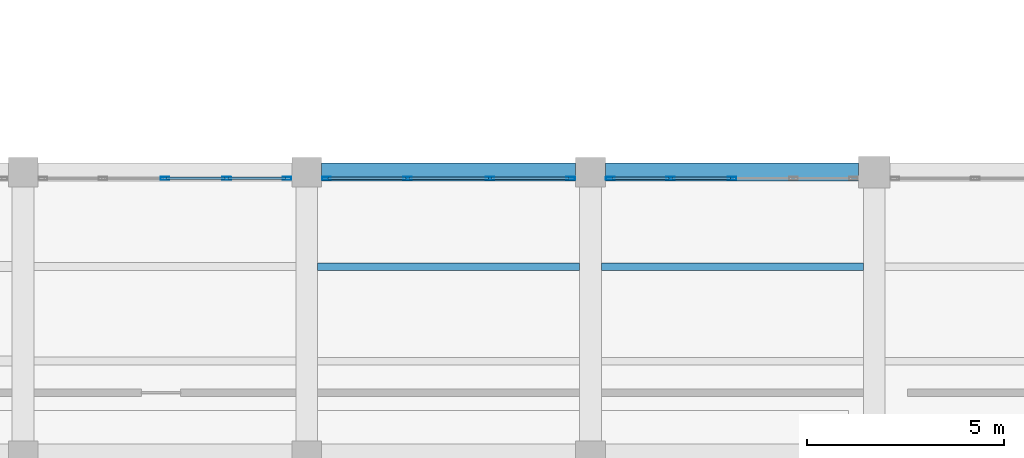
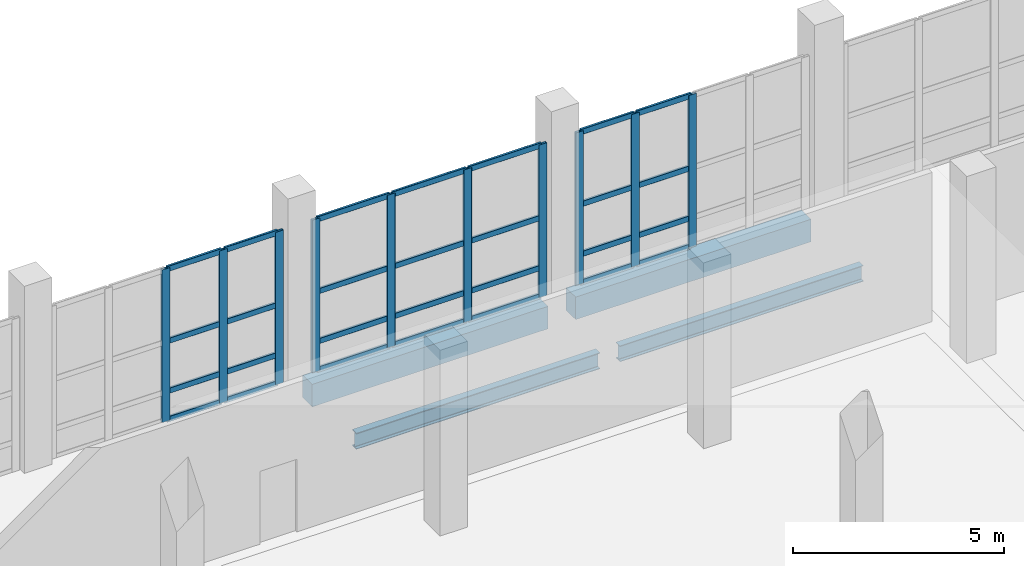
# One storey, part 40 of 137: 38 members, 4 beams, 3 elements without a shape of their own.
"""IFC4 building model written with IfcOpenShell, lengths in metres."""

import ifcopenshell
import ifcopenshell.guid

model = None  # the IFC model being written
_history = None  # IfcOwnerHistory: only IFC2X3 demands one
_inside = {}  # id of a spatial element -> (the spatial element, [elements in it])
_under = {}  # id of a project, library or spatial element -> (it, [spatial elements below it])
_declared = {}  # id of a project -> (the project, [libraries it declares])
_typed = {}  # id of a type object -> (the type object, [elements of that type])
_made_of = {}  # id of a material, layer set ... -> (it, [elements and type objects made of it])


def new_model(schema):
    """Start an empty IFC model of exactly this schema.

    Asked for "IFC4X3", IfcOpenShell would pick the latest addendum, in which some entities
    have other attributes; the version numbers below select the first issue.
    IFC2X3 requires an IfcOwnerHistory on every rooted entity: one is made here for all.
    """
    global model, _history
    if schema == "IFC4X3":
        model = ifcopenshell.file(schema_version=(4, 3, 0, 0))
    else:
        model = ifcopenshell.file(schema=schema)
    _inside.clear()
    _under.clear()
    _declared.clear()
    _typed.clear()
    _made_of.clear()
    _history = None
    if model.schema == "IFC2X3":
        org = make("IfcOrganization", Name="unknown")
        user = make(
            "IfcPersonAndOrganization",
            ThePerson=make("IfcPerson", FamilyName="unknown"),
            TheOrganization=org,
        )
        app = make(
            "IfcApplication",
            ApplicationDeveloper=org,
            Version="unknown",
            ApplicationFullName="unknown",
            ApplicationIdentifier="unknown",
        )
        _history = make(
            "IfcOwnerHistory",
            OwningUser=user,
            OwningApplication=app,
            ChangeAction="ADDED",
            CreationDate=0,
        )
    return model


def make(cls, **values):
    """One entity of the class cls with the attributes given. An attribute that is None is left unset."""
    return model.create_entity(
        cls, **{name: value for name, value in values.items() if value is not None}
    )


def rooted(cls, **values):
    """An entity with a GlobalId (a new one), such as an element, a storey or a relation."""
    return make(cls, GlobalId=ifcopenshell.guid.new(), OwnerHistory=_history, **values)


def si_unit(unit_type, name, prefix=None):
    """IfcSIUnit, for example si_unit("LENGTHUNIT", "METRE", prefix="MILLI")."""
    return make("IfcSIUnit", UnitType=unit_type, Prefix=prefix, Name=name)


def assignment(units):
    """IfcUnitAssignment: the units of a project."""
    return None if units is None else make("IfcUnitAssignment", Units=units)


def point(xyz):
    """IfcCartesianPoint."""
    return None if xyz is None else make("IfcCartesianPoint", Coordinates=xyz)


def direction(xyz):
    """IfcDirection."""
    return None if xyz is None else make("IfcDirection", DirectionRatios=xyz)


def frame(location, z_axis=None, x_axis=None):
    """IfcAxis2Placement3D, a coordinate frame: its origin and axes. An axis left out is left unset."""
    return make(
        "IfcAxis2Placement3D",
        Location=point(location),
        Axis=direction(z_axis),
        RefDirection=direction(x_axis),
    )


def frame_2d(location, x_axis=None):
    """IfcAxis2Placement2D, a coordinate frame in the plane: its origin and x axis."""
    return make(
        "IfcAxis2Placement2D", Location=point(location), RefDirection=direction(x_axis)
    )


def origin():
    """The frame at (0, 0, 0) with its axes left unset."""
    return frame((0.0, 0.0, 0.0))


def origin_2d():
    """The frame at (0, 0) in the plane with its x axis left unset."""
    return frame_2d((0.0, 0.0))


def place(relative_to, where):
    """IfcLocalPlacement: puts the frame where relative to a parent placement (None: the world)."""
    return make(
        "IfcLocalPlacement", PlacementRelTo=relative_to, RelativePlacement=where
    )


def context(
    kind, dimensions, precision=None, world=None, true_north=None, identifier=None
):
    """IfcGeometricRepresentationContext, for example the 3D "Model" context."""
    return make(
        "IfcGeometricRepresentationContext",
        ContextIdentifier=identifier,
        ContextType=kind,
        CoordinateSpaceDimension=dimensions,
        Precision=precision,
        WorldCoordinateSystem=world,
        TrueNorth=true_north,
    )


def subcontext(parent, identifier, kind, view, scale=None):
    """IfcGeometricRepresentationSubContext, for example "Body" below "Model"."""
    return make(
        "IfcGeometricRepresentationSubContext",
        ContextIdentifier=identifier,
        ContextType=kind,
        ParentContext=parent,
        TargetScale=scale,
        TargetView=view,
    )


def project(units=None, contexts=None):
    """IfcProject with its units and contexts."""
    return rooted(
        "IfcProject",
        Name="project",
        RepresentationContexts=contexts,
        UnitsInContext=assignment(units),
    )


def spatial(cls, under=None, at=None, **own):
    """A site, building, storey or space (cls), placed at a placement, below another one or the project."""
    s = rooted(cls, ObjectPlacement=at, **own)
    if under is not None:
        _under.setdefault(under.id(), (under, []))[1].append(s)
    return s


def profile(cls, at=None, kind="AREA", **sizes):
    """A parametric profile (cls). Its sizes go by their IFC names, for example OverallWidth=200.0."""
    return make(cls, ProfileType=kind, Position=at, **sizes)


def rectangle(**sizes):
    """IfcRectangleProfileDef."""
    return profile("IfcRectangleProfileDef", **sizes)


def hollow_rectangle(**sizes):
    """IfcRectangleHollowProfileDef."""
    return profile("IfcRectangleHollowProfileDef", **sizes)


def i_section(**sizes):
    """IfcIShapeProfileDef."""
    return profile("IfcIShapeProfileDef", **sizes)


def extrude(swept, where, along, depth):
    """IfcExtrudedAreaSolid: the profile swept, set in the frame where, extruded along a direction by depth."""
    return make(
        "IfcExtrudedAreaSolid",
        SweptArea=swept,
        Position=where,
        ExtrudedDirection=direction(along),
        Depth=depth,
    )


def shape(context_of_items, identifier, shape_type, items):
    """IfcShapeRepresentation: the items that make up one representation, for example the "Body"."""
    return make(
        "IfcShapeRepresentation",
        ContextOfItems=context_of_items,
        RepresentationIdentifier=identifier,
        RepresentationType=shape_type,
        Items=items,
    )


def material(Name=None, Category=None):
    """IfcMaterial."""
    return make("IfcMaterial", Name=Name, Category=Category)


def material_profile(
    of_material, cross_section, Name=None, Category=None, Priority=None
):
    """IfcMaterialProfile: a cross section and its material."""
    return make(
        "IfcMaterialProfile",
        Name=Name,
        Material=of_material,
        Profile=cross_section,
        Priority=Priority,
        Category=Category,
    )


def profile_set(profiles, Name=None, composite=None):
    """IfcMaterialProfileSet."""
    return make(
        "IfcMaterialProfileSet",
        Name=Name,
        MaterialProfiles=profiles,
        CompositeProfile=composite,
    )


def made_of(thing, what):
    """Note that an element or type object is made of a material, layer set ...; save() writes the relation."""
    if what is not None:
        _made_of.setdefault(what.id(), (what, []))[1].append(thing)
    return thing


def type_object(cls, material=None, **own):
    """A type object (cls), such as IfcWallType, which elements share."""
    return made_of(rooted(cls, **own), material)


def element(
    cls,
    number,
    at=None,
    inside=None,
    cuts=None,
    type_object=None,
    material=None,
    context=None,
    identifier="Body",
    shape_type=None,
    held_by="IfcProductDefinitionShape",
    body=None,
    shapes=None,
    **own,
):
    """One element of the class cls, such as IfcWall. Its Tag is "e" and its number.

    at: its placement. inside: the storey or other place that contains it. cuts: it is an
    opening in that element (IfcRelVoidsElement). A single representation is given by context,
    identifier, shape_type and body (its items); several are given by shapes. held_by: the class
    of the entity that holds the representations. save() writes the other relations.
    """
    e = rooted(cls, Tag="e%d" % number, ObjectPlacement=at, **own)
    if body is not None:
        shapes = [shape(context, identifier, shape_type, body)]
    if shapes is not None:
        e.Representation = make(held_by, Representations=shapes)
    if inside is not None:
        _inside.setdefault(inside.id(), (inside, []))[1].append(e)
    if cuts is not None:
        rooted(
            "IfcRelVoidsElement", RelatingBuildingElement=cuts, RelatedOpeningElement=e
        )
    if type_object is not None:
        _typed.setdefault(type_object.id(), (type_object, []))[1].append(e)
    return made_of(e, material)


def aggregate(whole, parts):
    """IfcRelAggregates: a whole, such as a stair, and the parts it consists of."""
    return rooted("IfcRelAggregates", RelatingObject=whole, RelatedObjects=parts)


def save(model, path):
    """Write the relations noted so far, then the file.

    IfcRelAggregates (storeys below a building ...), IfcRelContainedInSpatialStructure (elements
    in a storey), IfcRelDefinesByType, IfcRelAssociatesMaterial and IfcRelDeclares: one each for
    every whole, place, type object, material and project.
    """
    for whole, parts in _under.values():
        aggregate(whole, parts)
    for where, things in _inside.values():
        rooted(
            "IfcRelContainedInSpatialStructure",
            RelatedElements=things,
            RelatingStructure=where,
        )
    for kind, things in _typed.values():
        rooted("IfcRelDefinesByType", RelatedObjects=things, RelatingType=kind)
    for what, things in _made_of.values():
        rooted("IfcRelAssociatesMaterial", RelatedObjects=things, RelatingMaterial=what)
    for by, libraries in _declared.values():
        rooted("IfcRelDeclares", RelatingContext=by, RelatedDefinitions=libraries)
    model.write(path)


model = new_model("IFC4")

# Units and contexts
model_context = context("Model", 3, precision=1e-05, world=origin(), true_north=direction((0.0, 1.0)))
body_context = subcontext(model_context, "Body", "Model", "MODEL_VIEW")
ifc_project = project(units=[si_unit("LENGTHUNIT", "METRE"), si_unit("AREAUNIT", "SQUARE_METRE"), si_unit("VOLUMEUNIT", "CUBIC_METRE"), si_unit("PLANEANGLEUNIT", "RADIAN"), si_unit("MASSUNIT", "GRAM", prefix="KILO")], contexts=[model_context])

# Site, building, storey
site_placement = place(None, origin())
site = spatial("IfcSite", under=ifc_project, at=site_placement, CompositionType="ELEMENT")
building_placement = place(site_placement, origin())
building = spatial("IfcBuilding", under=site, at=building_placement, Name="Kalmorath City Hall", CompositionType="ELEMENT")
storey_placement = place(building_placement, origin())
storey = spatial("IfcBuildingStorey", under=building, at=storey_placement, Name="L00", CompositionType="ELEMENT", Elevation=0.0)

# Beams
ifc_material_1 = material(Name="Concrete C40/50", Category="concrete")
ifc_material_profile_1 = material_profile(ifc_material_1, rectangle(XDim=0.449951171875, YDim=0.64990234375, at=origin_2d()), Name="RC-BM-450X650")
ifc_profile_set_1 = profile_set([ifc_material_profile_1], Name="Concrete C40/50")
beam_type_1 = type_object("IfcBeamType", Name="Concrete spandrel beam 450x650", PredefinedType="SPANDREL", material=ifc_profile_set_1)
beam_1_placement = place(storey_placement, frame((101.175048828125, 43.199951171875, -0.62890625), z_axis=(1.0, 0.0, 0.0), x_axis=(0.0, 1.0, 0.0)))
element("IfcBeam", 1, at=beam_1_placement, inside=storey, type_object=beam_type_1, Name="L00 girder CB5 X15-16/7", PredefinedType="SPANDREL", context=body_context, shape_type="SweptSolid", body=[
    extrude(rectangle(XDim=0.449951171875, YDim=0.64990234375, at=origin_2d()), origin(), (0.0, 0.0, 1.0), 6.449951171875),
])
beam_2_placement = place(storey_placement, frame((108.375, 43.199951171875, -0.62890625), z_axis=(1.0, 0.0, 0.0), x_axis=(0.0, 1.0, 0.0)))
element("IfcBeam", 2, at=beam_2_placement, inside=storey, type_object=beam_type_1, Name="L00 girder CB5 X16-17/7", PredefinedType="SPANDREL", context=body_context, shape_type="SweptSolid", body=[
    extrude(rectangle(XDim=0.449951171875, YDim=0.64990234375, at=origin_2d()), origin(), (0.0, 0.0, 1.0), 6.425048828125),
])

# Curtain wall, members
ifc_material_2 = material(Name="Anodised aluminium and laminated glass", Category="aluminium")
curtain_wall_type_1 = type_object("IfcCurtainWallType", Name="Unitised hurricane curtain wall 6270x4411 M1500", PredefinedType="NOTDEFINED", material=ifc_material_2)
curtain_wall_1_placement = place(storey_placement, origin())
curtain_wall_1 = element("IfcCurtainWall", 3, at=curtain_wall_1_placement, inside=storey, type_object=curtain_wall_type_1, Name="L00 curtain wall CW-63X44M15 #36", PredefinedType="NOTDEFINED")
ifc_material_3 = material(Name="Anodised aluminium framing", Category="aluminium")
ifc_material_profile_2 = material_profile(ifc_material_3, hollow_rectangle(XDim=0.074951171875, YDim=0.219970703125, WallThickness=0.00390625, InnerFilletRadius=0.00390625, OuterFilletRadius=0.008056640625, at=origin_2d()), Name="ALU-MUL-220X75X4")
ifc_profile_set_2 = profile_set([ifc_material_profile_2], Name="Anodised aluminium framing")
member_type_1 = type_object("IfcMemberType", Name="Curtain-wall primary mullion 220x75", PredefinedType="MULLION", material=ifc_profile_set_2)
member_1_placement = place(storey_placement, frame((97.199951171875, 43.0400390625, 0.0), z_axis=(0.0, 0.0, 1.0), x_axis=(0.0, 1.0, 0.0)))
member_1 = element("IfcMember", 4, at=member_1_placement, type_object=member_type_1, Name="CW-63X44M15 mullion 3", PredefinedType="MULLION", context=body_context, shape_type="SweptSolid", body=[
    extrude(hollow_rectangle(XDim=0.074951171875, YDim=0.219970703125, WallThickness=0.00390625, InnerFilletRadius=0.00390625, OuterFilletRadius=0.008056640625, at=origin_2d()), origin(), (0.0, 0.0, 1.0), 4.410888671875),
])
member_2_placement = place(storey_placement, frame((98.767578125, 43.0400390625, 0.0), z_axis=(0.0, 0.0, 1.0), x_axis=(0.0, 1.0, 0.0)))
member_2 = element("IfcMember", 5, at=member_2_placement, type_object=member_type_1, Name="CW-63X44M15 mullion 4", PredefinedType="MULLION", context=body_context, shape_type="SweptSolid", body=[
    extrude(hollow_rectangle(XDim=0.074951171875, YDim=0.219970703125, WallThickness=0.00390625, InnerFilletRadius=0.00390625, OuterFilletRadius=0.008056640625, at=origin_2d()), origin(), (0.0, 0.0, 1.0), 4.410888671875),
])
member_3_placement = place(storey_placement, frame((100.297607421875, 43.0400390625, 0.0), z_axis=(0.0, 0.0, 1.0), x_axis=(0.0, 1.0, 0.0)))
member_3 = element("IfcMember", 6, at=member_3_placement, type_object=member_type_1, Name="CW-63X44M15 mullion 5", PredefinedType="MULLION", context=body_context, shape_type="SweptSolid", body=[
    extrude(hollow_rectangle(XDim=0.074951171875, YDim=0.219970703125, WallThickness=0.00390625, InnerFilletRadius=0.00390625, OuterFilletRadius=0.008056640625, at=origin_2d()), origin(), (0.0, 0.0, 1.0), 4.410888671875),
])

ifc_material_4 = material(Name="Anodised aluminium and laminated glass", Category="aluminium")
curtain_wall_type_2 = type_object("IfcCurtainWallType", Name="Unitised hurricane curtain wall 6270x4411 M1800", PredefinedType="NOTDEFINED", material=ifc_material_4)
curtain_wall_2_placement = place(storey_placement, origin())
curtain_wall_2 = element("IfcCurtainWall", 7, at=curtain_wall_2_placement, inside=storey, type_object=curtain_wall_type_2, Name="L00 curtain wall CW-63X44M18 #37", PredefinedType="NOTDEFINED")
member_4_placement = place(storey_placement, frame((101.302490234375, 43.0400390625, 0.0), z_axis=(0.0, 0.0, 1.0), x_axis=(0.0, 1.0, 0.0)))
member_4 = element("IfcMember", 8, at=member_4_placement, type_object=member_type_1, Name="CW-63X44M18 mullion 1", PredefinedType="MULLION", context=body_context, shape_type="SweptSolid", body=[
    extrude(hollow_rectangle(XDim=0.074951171875, YDim=0.219970703125, WallThickness=0.00390625, InnerFilletRadius=0.00390625, OuterFilletRadius=0.008056640625, at=origin_2d()), origin(), (0.0, 0.0, 1.0), 4.410888671875),
])
member_5_placement = place(storey_placement, frame((103.35498046875, 43.0400390625, 0.0), z_axis=(0.0, 0.0, 1.0), x_axis=(0.0, 1.0, 0.0)))
member_5 = element("IfcMember", 9, at=member_5_placement, type_object=member_type_1, Name="CW-63X44M18 mullion 2", PredefinedType="MULLION", context=body_context, shape_type="SweptSolid", body=[
    extrude(hollow_rectangle(XDim=0.074951171875, YDim=0.219970703125, WallThickness=0.00390625, InnerFilletRadius=0.00390625, OuterFilletRadius=0.008056640625, at=origin_2d()), origin(), (0.0, 0.0, 1.0), 4.410888671875),
])
member_6_placement = place(storey_placement, frame((105.445068359375, 43.0400390625, 0.0), z_axis=(0.0, 0.0, 1.0), x_axis=(0.0, 1.0, 0.0)))
member_6 = element("IfcMember", 10, at=member_6_placement, type_object=member_type_1, Name="CW-63X44M18 mullion 3", PredefinedType="MULLION", context=body_context, shape_type="SweptSolid", body=[
    extrude(hollow_rectangle(XDim=0.074951171875, YDim=0.219970703125, WallThickness=0.00390625, InnerFilletRadius=0.00390625, OuterFilletRadius=0.008056640625, at=origin_2d()), origin(), (0.0, 0.0, 1.0), 4.410888671875),
])
member_7_placement = place(storey_placement, frame((107.49755859375, 43.0400390625, 0.0), z_axis=(0.0, 0.0, 1.0), x_axis=(0.0, 1.0, 0.0)))
member_7 = element("IfcMember", 11, at=member_7_placement, type_object=member_type_1, Name="CW-63X44M18 mullion 4", PredefinedType="MULLION", context=body_context, shape_type="SweptSolid", body=[
    extrude(hollow_rectangle(XDim=0.074951171875, YDim=0.219970703125, WallThickness=0.00390625, InnerFilletRadius=0.00390625, OuterFilletRadius=0.008056640625, at=origin_2d()), origin(), (0.0, 0.0, 1.0), 4.410888671875),
])

ifc_material_5 = material(Name="Anodised aluminium and laminated glass", Category="aluminium")
curtain_wall_type_3 = type_object("IfcCurtainWallType", Name="Unitised hurricane curtain wall 6245x4411 M1500", PredefinedType="NOTDEFINED", material=ifc_material_5)
curtain_wall_3_placement = place(storey_placement, origin())
curtain_wall_3 = element("IfcCurtainWall", 12, at=curtain_wall_3_placement, inside=storey, type_object=curtain_wall_type_3, Name="L00 curtain wall CW-62X44M15 #38", PredefinedType="NOTDEFINED")
member_8_placement = place(storey_placement, frame((108.50244140625, 43.0400390625, 0.0), z_axis=(0.0, 0.0, 1.0), x_axis=(0.0, 1.0, 0.0)))
member_8 = element("IfcMember", 13, at=member_8_placement, type_object=member_type_1, Name="CW-62X44M15 mullion 1", PredefinedType="MULLION", context=body_context, shape_type="SweptSolid", body=[
    extrude(hollow_rectangle(XDim=0.074951171875, YDim=0.219970703125, WallThickness=0.00390625, InnerFilletRadius=0.00390625, OuterFilletRadius=0.008056640625, at=origin_2d()), origin(), (0.0, 0.0, 1.0), 4.410888671875),
])
member_9_placement = place(storey_placement, frame((110.0263671875, 43.0400390625, 0.0), z_axis=(0.0, 0.0, 1.0), x_axis=(0.0, 1.0, 0.0)))
member_9 = element("IfcMember", 14, at=member_9_placement, type_object=member_type_1, Name="CW-62X44M15 mullion 2", PredefinedType="MULLION", context=body_context, shape_type="SweptSolid", body=[
    extrude(hollow_rectangle(XDim=0.074951171875, YDim=0.219970703125, WallThickness=0.00390625, InnerFilletRadius=0.00390625, OuterFilletRadius=0.008056640625, at=origin_2d()), origin(), (0.0, 0.0, 1.0), 4.410888671875),
])
member_10_placement = place(storey_placement, frame((111.58740234375, 43.0400390625, 0.0), z_axis=(0.0, 0.0, 1.0), x_axis=(0.0, 1.0, 0.0)))
member_10 = element("IfcMember", 15, at=member_10_placement, type_object=member_type_1, Name="CW-62X44M15 mullion 3", PredefinedType="MULLION", context=body_context, shape_type="SweptSolid", body=[
    extrude(hollow_rectangle(XDim=0.074951171875, YDim=0.219970703125, WallThickness=0.00390625, InnerFilletRadius=0.00390625, OuterFilletRadius=0.008056640625, at=origin_2d()), origin(), (0.0, 0.0, 1.0), 4.410888671875),
])

# Member
ifc_material_6 = material(Name="Anodised aluminium framing", Category="aluminium")
ifc_material_profile_3 = material_profile(ifc_material_6, hollow_rectangle(XDim=0.06494140625, YDim=0.159912109375, WallThickness=0.00390625, InnerFilletRadius=0.00390625, OuterFilletRadius=0.008056640625, at=origin_2d()), Name="ALU-TRN-160X65X4")
ifc_profile_set_3 = profile_set([ifc_material_profile_3], Name="Anodised aluminium framing")
member_type_2 = type_object("IfcMemberType", Name="Curtain-wall primary transom 160x65", PredefinedType="USERDEFINED", material=ifc_profile_set_3)
member_11_placement = place(storey_placement, frame((97.237548828125, 43.0400390625, 0.032470703125), z_axis=(1.0, 0.0, 0.0), x_axis=(0.0, 1.0, 0.0)))
member_11 = element("IfcMember", 16, at=member_11_placement, type_object=member_type_2, Name="CW-63X44M15 transom 3.1", ObjectType="TRANSOM", PredefinedType="USERDEFINED", context=body_context, shape_type="SweptSolid", body=[
    extrude(hollow_rectangle(XDim=0.06494140625, YDim=0.159912109375, WallThickness=0.00390625, InnerFilletRadius=0.00390625, OuterFilletRadius=0.008056640625, at=origin_2d()), origin(), (0.0, 0.0, 1.0), 1.492431640625),
])

member_12_placement = place(storey_placement, frame((97.237548828125, 43.0400390625, 0.85009765625), z_axis=(1.0, 0.0, 0.0), x_axis=(0.0, 1.0, 0.0)))
member_12 = element("IfcMember", 17, at=member_12_placement, type_object=member_type_2, Name="CW-63X44M15 transom 3.2", ObjectType="TRANSOM", PredefinedType="USERDEFINED", context=body_context, shape_type="SweptSolid", body=[
    extrude(hollow_rectangle(XDim=0.06494140625, YDim=0.159912109375, WallThickness=0.00390625, InnerFilletRadius=0.00390625, OuterFilletRadius=0.008056640625, at=origin_2d()), origin(), (0.0, 0.0, 1.0), 1.492431640625),
])

member_13_placement = place(storey_placement, frame((97.237548828125, 43.0400390625, 2.2939453125), z_axis=(1.0, 0.0, 0.0), x_axis=(0.0, 1.0, 0.0)))
member_13 = element("IfcMember", 18, at=member_13_placement, type_object=member_type_2, Name="CW-63X44M15 transom 3.3", ObjectType="TRANSOM", PredefinedType="USERDEFINED", context=body_context, shape_type="SweptSolid", body=[
    extrude(hollow_rectangle(XDim=0.06494140625, YDim=0.159912109375, WallThickness=0.00390625, InnerFilletRadius=0.00390625, OuterFilletRadius=0.008056640625, at=origin_2d()), origin(), (0.0, 0.0, 1.0), 1.492431640625),
])

member_14_placement = place(storey_placement, frame((97.237548828125, 43.0400390625, 4.37841796875), z_axis=(1.0, 0.0, 0.0), x_axis=(0.0, 1.0, 0.0)))
member_14 = element("IfcMember", 19, at=member_14_placement, type_object=member_type_2, Name="CW-63X44M15 transom 3.4", ObjectType="TRANSOM", PredefinedType="USERDEFINED", context=body_context, shape_type="SweptSolid", body=[
    extrude(hollow_rectangle(XDim=0.06494140625, YDim=0.159912109375, WallThickness=0.00390625, InnerFilletRadius=0.00390625, OuterFilletRadius=0.008056640625, at=origin_2d()), origin(), (0.0, 0.0, 1.0), 1.492431640625),
])

member_15_placement = place(storey_placement, frame((98.804931640625, 43.0400390625, 0.032470703125), z_axis=(1.0, 0.0, 0.0), x_axis=(0.0, 1.0, 0.0)))
member_15 = element("IfcMember", 20, at=member_15_placement, type_object=member_type_2, Name="CW-63X44M15 transom 4.1", ObjectType="TRANSOM", PredefinedType="USERDEFINED", context=body_context, shape_type="SweptSolid", body=[
    extrude(hollow_rectangle(XDim=0.06494140625, YDim=0.159912109375, WallThickness=0.00390625, InnerFilletRadius=0.00390625, OuterFilletRadius=0.008056640625, at=origin_2d()), origin(), (0.0, 0.0, 1.0), 1.455078125),
])

member_16_placement = place(storey_placement, frame((98.804931640625, 43.0400390625, 0.85009765625), z_axis=(1.0, 0.0, 0.0), x_axis=(0.0, 1.0, 0.0)))
member_16 = element("IfcMember", 21, at=member_16_placement, type_object=member_type_2, Name="CW-63X44M15 transom 4.2", ObjectType="TRANSOM", PredefinedType="USERDEFINED", context=body_context, shape_type="SweptSolid", body=[
    extrude(hollow_rectangle(XDim=0.06494140625, YDim=0.159912109375, WallThickness=0.00390625, InnerFilletRadius=0.00390625, OuterFilletRadius=0.008056640625, at=origin_2d()), origin(), (0.0, 0.0, 1.0), 1.455078125),
])

member_17_placement = place(storey_placement, frame((98.804931640625, 43.0400390625, 2.2939453125), z_axis=(1.0, 0.0, 0.0), x_axis=(0.0, 1.0, 0.0)))
member_17 = element("IfcMember", 22, at=member_17_placement, type_object=member_type_2, Name="CW-63X44M15 transom 4.3", ObjectType="TRANSOM", PredefinedType="USERDEFINED", context=body_context, shape_type="SweptSolid", body=[
    extrude(hollow_rectangle(XDim=0.06494140625, YDim=0.159912109375, WallThickness=0.00390625, InnerFilletRadius=0.00390625, OuterFilletRadius=0.008056640625, at=origin_2d()), origin(), (0.0, 0.0, 1.0), 1.455078125),
])

member_18_placement = place(storey_placement, frame((98.804931640625, 43.0400390625, 4.37841796875), z_axis=(1.0, 0.0, 0.0), x_axis=(0.0, 1.0, 0.0)))
member_18 = element("IfcMember", 23, at=member_18_placement, type_object=member_type_2, Name="CW-63X44M15 transom 4.4", ObjectType="TRANSOM", PredefinedType="USERDEFINED", context=body_context, shape_type="SweptSolid", body=[
    extrude(hollow_rectangle(XDim=0.06494140625, YDim=0.159912109375, WallThickness=0.00390625, InnerFilletRadius=0.00390625, OuterFilletRadius=0.008056640625, at=origin_2d()), origin(), (0.0, 0.0, 1.0), 1.455078125),
])

aggregate(curtain_wall_1, [member_1, member_2, member_3, member_11, member_12, member_13, member_14, member_15, member_16, member_17, member_18])

member_19_placement = place(storey_placement, frame((101.340087890625, 43.0400390625, 0.032470703125), z_axis=(1.0, 0.0, 0.0), x_axis=(0.0, 1.0, 0.0)))
member_19 = element("IfcMember", 24, at=member_19_placement, type_object=member_type_2, Name="CW-63X44M18 transom 1.1", ObjectType="TRANSOM", PredefinedType="USERDEFINED", context=body_context, shape_type="SweptSolid", body=[
    extrude(hollow_rectangle(XDim=0.06494140625, YDim=0.159912109375, WallThickness=0.00390625, InnerFilletRadius=0.00390625, OuterFilletRadius=0.008056640625, at=origin_2d()), origin(), (0.0, 0.0, 1.0), 1.977294921875),
])

member_20_placement = place(storey_placement, frame((101.340087890625, 43.0400390625, 0.85009765625), z_axis=(1.0, 0.0, 0.0), x_axis=(0.0, 1.0, 0.0)))
member_20 = element("IfcMember", 25, at=member_20_placement, type_object=member_type_2, Name="CW-63X44M18 transom 1.2", ObjectType="TRANSOM", PredefinedType="USERDEFINED", context=body_context, shape_type="SweptSolid", body=[
    extrude(hollow_rectangle(XDim=0.06494140625, YDim=0.159912109375, WallThickness=0.00390625, InnerFilletRadius=0.00390625, OuterFilletRadius=0.008056640625, at=origin_2d()), origin(), (0.0, 0.0, 1.0), 1.977294921875),
])

member_21_placement = place(storey_placement, frame((101.340087890625, 43.0400390625, 2.2939453125), z_axis=(1.0, 0.0, 0.0), x_axis=(0.0, 1.0, 0.0)))
member_21 = element("IfcMember", 26, at=member_21_placement, type_object=member_type_2, Name="CW-63X44M18 transom 1.3", ObjectType="TRANSOM", PredefinedType="USERDEFINED", context=body_context, shape_type="SweptSolid", body=[
    extrude(hollow_rectangle(XDim=0.06494140625, YDim=0.159912109375, WallThickness=0.00390625, InnerFilletRadius=0.00390625, OuterFilletRadius=0.008056640625, at=origin_2d()), origin(), (0.0, 0.0, 1.0), 1.977294921875),
])

member_22_placement = place(storey_placement, frame((101.340087890625, 43.0400390625, 4.37841796875), z_axis=(1.0, 0.0, 0.0), x_axis=(0.0, 1.0, 0.0)))
member_22 = element("IfcMember", 27, at=member_22_placement, type_object=member_type_2, Name="CW-63X44M18 transom 1.4", ObjectType="TRANSOM", PredefinedType="USERDEFINED", context=body_context, shape_type="SweptSolid", body=[
    extrude(hollow_rectangle(XDim=0.06494140625, YDim=0.159912109375, WallThickness=0.00390625, InnerFilletRadius=0.00390625, OuterFilletRadius=0.008056640625, at=origin_2d()), origin(), (0.0, 0.0, 1.0), 1.977294921875),
])

member_23_placement = place(storey_placement, frame((103.392578125, 43.0400390625, 0.032470703125), z_axis=(1.0, 0.0, 0.0), x_axis=(0.0, 1.0, 0.0)))
member_23 = element("IfcMember", 28, at=member_23_placement, type_object=member_type_2, Name="CW-63X44M18 transom 2.1", ObjectType="TRANSOM", PredefinedType="USERDEFINED", context=body_context, shape_type="SweptSolid", body=[
    extrude(hollow_rectangle(XDim=0.06494140625, YDim=0.159912109375, WallThickness=0.00390625, InnerFilletRadius=0.00390625, OuterFilletRadius=0.008056640625, at=origin_2d()), origin(), (0.0, 0.0, 1.0), 2.014892578125),
])

member_24_placement = place(storey_placement, frame((103.392578125, 43.0400390625, 0.85009765625), z_axis=(1.0, 0.0, 0.0), x_axis=(0.0, 1.0, 0.0)))
member_24 = element("IfcMember", 29, at=member_24_placement, type_object=member_type_2, Name="CW-63X44M18 transom 2.2", ObjectType="TRANSOM", PredefinedType="USERDEFINED", context=body_context, shape_type="SweptSolid", body=[
    extrude(hollow_rectangle(XDim=0.06494140625, YDim=0.159912109375, WallThickness=0.00390625, InnerFilletRadius=0.00390625, OuterFilletRadius=0.008056640625, at=origin_2d()), origin(), (0.0, 0.0, 1.0), 2.014892578125),
])

member_25_placement = place(storey_placement, frame((103.392578125, 43.0400390625, 2.2939453125), z_axis=(1.0, 0.0, 0.0), x_axis=(0.0, 1.0, 0.0)))
member_25 = element("IfcMember", 30, at=member_25_placement, type_object=member_type_2, Name="CW-63X44M18 transom 2.3", ObjectType="TRANSOM", PredefinedType="USERDEFINED", context=body_context, shape_type="SweptSolid", body=[
    extrude(hollow_rectangle(XDim=0.06494140625, YDim=0.159912109375, WallThickness=0.00390625, InnerFilletRadius=0.00390625, OuterFilletRadius=0.008056640625, at=origin_2d()), origin(), (0.0, 0.0, 1.0), 2.014892578125),
])

member_26_placement = place(storey_placement, frame((103.392578125, 43.0400390625, 4.37841796875), z_axis=(1.0, 0.0, 0.0), x_axis=(0.0, 1.0, 0.0)))
member_26 = element("IfcMember", 31, at=member_26_placement, type_object=member_type_2, Name="CW-63X44M18 transom 2.4", ObjectType="TRANSOM", PredefinedType="USERDEFINED", context=body_context, shape_type="SweptSolid", body=[
    extrude(hollow_rectangle(XDim=0.06494140625, YDim=0.159912109375, WallThickness=0.00390625, InnerFilletRadius=0.00390625, OuterFilletRadius=0.008056640625, at=origin_2d()), origin(), (0.0, 0.0, 1.0), 2.014892578125),
])

member_27_placement = place(storey_placement, frame((105.482421875, 43.0400390625, 0.032470703125), z_axis=(1.0, 0.0, 0.0), x_axis=(0.0, 1.0, 0.0)))
member_27 = element("IfcMember", 32, at=member_27_placement, type_object=member_type_2, Name="CW-63X44M18 transom 3.1", ObjectType="TRANSOM", PredefinedType="USERDEFINED", context=body_context, shape_type="SweptSolid", body=[
    extrude(hollow_rectangle(XDim=0.06494140625, YDim=0.159912109375, WallThickness=0.00390625, InnerFilletRadius=0.00390625, OuterFilletRadius=0.008056640625, at=origin_2d()), origin(), (0.0, 0.0, 1.0), 1.9775390625),
])

member_28_placement = place(storey_placement, frame((105.482421875, 43.0400390625, 0.85009765625), z_axis=(1.0, 0.0, 0.0), x_axis=(0.0, 1.0, 0.0)))
member_28 = element("IfcMember", 33, at=member_28_placement, type_object=member_type_2, Name="CW-63X44M18 transom 3.2", ObjectType="TRANSOM", PredefinedType="USERDEFINED", context=body_context, shape_type="SweptSolid", body=[
    extrude(hollow_rectangle(XDim=0.06494140625, YDim=0.159912109375, WallThickness=0.00390625, InnerFilletRadius=0.00390625, OuterFilletRadius=0.008056640625, at=origin_2d()), origin(), (0.0, 0.0, 1.0), 1.9775390625),
])

member_29_placement = place(storey_placement, frame((105.482421875, 43.0400390625, 2.2939453125), z_axis=(1.0, 0.0, 0.0), x_axis=(0.0, 1.0, 0.0)))
member_29 = element("IfcMember", 34, at=member_29_placement, type_object=member_type_2, Name="CW-63X44M18 transom 3.3", ObjectType="TRANSOM", PredefinedType="USERDEFINED", context=body_context, shape_type="SweptSolid", body=[
    extrude(hollow_rectangle(XDim=0.06494140625, YDim=0.159912109375, WallThickness=0.00390625, InnerFilletRadius=0.00390625, OuterFilletRadius=0.008056640625, at=origin_2d()), origin(), (0.0, 0.0, 1.0), 1.9775390625),
])

member_30_placement = place(storey_placement, frame((105.482421875, 43.0400390625, 4.37841796875), z_axis=(1.0, 0.0, 0.0), x_axis=(0.0, 1.0, 0.0)))
member_30 = element("IfcMember", 35, at=member_30_placement, type_object=member_type_2, Name="CW-63X44M18 transom 3.4", ObjectType="TRANSOM", PredefinedType="USERDEFINED", context=body_context, shape_type="SweptSolid", body=[
    extrude(hollow_rectangle(XDim=0.06494140625, YDim=0.159912109375, WallThickness=0.00390625, InnerFilletRadius=0.00390625, OuterFilletRadius=0.008056640625, at=origin_2d()), origin(), (0.0, 0.0, 1.0), 1.9775390625),
])

aggregate(curtain_wall_2, [member_4, member_5, member_6, member_7, member_19, member_20, member_21, member_22, member_23, member_24, member_25, member_26, member_27, member_28, member_29, member_30])

member_31_placement = place(storey_placement, frame((108.5400390625, 43.0400390625, 0.032470703125), z_axis=(1.0, 0.0, 0.0), x_axis=(0.0, 1.0, 0.0)))
member_31 = element("IfcMember", 36, at=member_31_placement, type_object=member_type_2, Name="CW-62X44M15 transom 1.1", ObjectType="TRANSOM", PredefinedType="USERDEFINED", context=body_context, shape_type="SweptSolid", body=[
    extrude(hollow_rectangle(XDim=0.06494140625, YDim=0.159912109375, WallThickness=0.00390625, InnerFilletRadius=0.00390625, OuterFilletRadius=0.008056640625, at=origin_2d()), origin(), (0.0, 0.0, 1.0), 1.44873046875),
])

member_32_placement = place(storey_placement, frame((108.5400390625, 43.0400390625, 0.85009765625), z_axis=(1.0, 0.0, 0.0), x_axis=(0.0, 1.0, 0.0)))
member_32 = element("IfcMember", 37, at=member_32_placement, type_object=member_type_2, Name="CW-62X44M15 transom 1.2", ObjectType="TRANSOM", PredefinedType="USERDEFINED", context=body_context, shape_type="SweptSolid", body=[
    extrude(hollow_rectangle(XDim=0.06494140625, YDim=0.159912109375, WallThickness=0.00390625, InnerFilletRadius=0.00390625, OuterFilletRadius=0.008056640625, at=origin_2d()), origin(), (0.0, 0.0, 1.0), 1.44873046875),
])

member_33_placement = place(storey_placement, frame((108.5400390625, 43.0400390625, 2.2939453125), z_axis=(1.0, 0.0, 0.0), x_axis=(0.0, 1.0, 0.0)))
member_33 = element("IfcMember", 38, at=member_33_placement, type_object=member_type_2, Name="CW-62X44M15 transom 1.3", ObjectType="TRANSOM", PredefinedType="USERDEFINED", context=body_context, shape_type="SweptSolid", body=[
    extrude(hollow_rectangle(XDim=0.06494140625, YDim=0.159912109375, WallThickness=0.00390625, InnerFilletRadius=0.00390625, OuterFilletRadius=0.008056640625, at=origin_2d()), origin(), (0.0, 0.0, 1.0), 1.44873046875),
])

member_34_placement = place(storey_placement, frame((108.5400390625, 43.0400390625, 4.37841796875), z_axis=(1.0, 0.0, 0.0), x_axis=(0.0, 1.0, 0.0)))
member_34 = element("IfcMember", 39, at=member_34_placement, type_object=member_type_2, Name="CW-62X44M15 transom 1.4", ObjectType="TRANSOM", PredefinedType="USERDEFINED", context=body_context, shape_type="SweptSolid", body=[
    extrude(hollow_rectangle(XDim=0.06494140625, YDim=0.159912109375, WallThickness=0.00390625, InnerFilletRadius=0.00390625, OuterFilletRadius=0.008056640625, at=origin_2d()), origin(), (0.0, 0.0, 1.0), 1.44873046875),
])

member_35_placement = place(storey_placement, frame((110.063720703125, 43.0400390625, 0.032470703125), z_axis=(1.0, 0.0, 0.0), x_axis=(0.0, 1.0, 0.0)))
member_35 = element("IfcMember", 40, at=member_35_placement, type_object=member_type_2, Name="CW-62X44M15 transom 2.1", ObjectType="TRANSOM", PredefinedType="USERDEFINED", context=body_context, shape_type="SweptSolid", body=[
    extrude(hollow_rectangle(XDim=0.06494140625, YDim=0.159912109375, WallThickness=0.00390625, InnerFilletRadius=0.00390625, OuterFilletRadius=0.008056640625, at=origin_2d()), origin(), (0.0, 0.0, 1.0), 1.486328125),
])

member_36_placement = place(storey_placement, frame((110.063720703125, 43.0400390625, 0.85009765625), z_axis=(1.0, 0.0, 0.0), x_axis=(0.0, 1.0, 0.0)))
member_36 = element("IfcMember", 41, at=member_36_placement, type_object=member_type_2, Name="CW-62X44M15 transom 2.2", ObjectType="TRANSOM", PredefinedType="USERDEFINED", context=body_context, shape_type="SweptSolid", body=[
    extrude(hollow_rectangle(XDim=0.06494140625, YDim=0.159912109375, WallThickness=0.00390625, InnerFilletRadius=0.00390625, OuterFilletRadius=0.008056640625, at=origin_2d()), origin(), (0.0, 0.0, 1.0), 1.486328125),
])

member_37_placement = place(storey_placement, frame((110.063720703125, 43.0400390625, 2.2939453125), z_axis=(1.0, 0.0, 0.0), x_axis=(0.0, 1.0, 0.0)))
member_37 = element("IfcMember", 42, at=member_37_placement, type_object=member_type_2, Name="CW-62X44M15 transom 2.3", ObjectType="TRANSOM", PredefinedType="USERDEFINED", context=body_context, shape_type="SweptSolid", body=[
    extrude(hollow_rectangle(XDim=0.06494140625, YDim=0.159912109375, WallThickness=0.00390625, InnerFilletRadius=0.00390625, OuterFilletRadius=0.008056640625, at=origin_2d()), origin(), (0.0, 0.0, 1.0), 1.486328125),
])

member_38_placement = place(storey_placement, frame((110.063720703125, 43.0400390625, 4.37841796875), z_axis=(1.0, 0.0, 0.0), x_axis=(0.0, 1.0, 0.0)))
member_38 = element("IfcMember", 43, at=member_38_placement, type_object=member_type_2, Name="CW-62X44M15 transom 2.4", ObjectType="TRANSOM", PredefinedType="USERDEFINED", context=body_context, shape_type="SweptSolid", body=[
    extrude(hollow_rectangle(XDim=0.06494140625, YDim=0.159912109375, WallThickness=0.00390625, InnerFilletRadius=0.00390625, OuterFilletRadius=0.008056640625, at=origin_2d()), origin(), (0.0, 0.0, 1.0), 1.486328125),
])

aggregate(curtain_wall_3, [member_8, member_9, member_10, member_31, member_32, member_33, member_34, member_35, member_36, member_37, member_38])

# Beams
ifc_material_7 = material(Name="Steel ASTM A992 Grade 50", Category="steel")
ifc_material_profile_4 = material_profile(ifc_material_7, i_section(OverallWidth=0.19091796875, OverallDepth=0.4599609375, WebThickness=0.010009765625, FlangeThickness=0.01611328125, FilletRadius=0.013916015625, at=origin_2d()), Name="W18X55")
ifc_profile_set_4 = profile_set([ifc_material_profile_4], Name="Steel ASTM A992 Grade 50")
beam_type_2 = type_object("IfcBeamType", Name="Steel composite joist W18X55", PredefinedType="JOIST", material=ifc_profile_set_4)
beam_3_placement = place(storey_placement, frame((108.27490234375, 40.800048828125, -0.533935546875), z_axis=(1.0, 0.0, 0.0), x_axis=(0.0, 1.0, 0.0)))
element("IfcBeam", 44, at=beam_3_placement, inside=storey, type_object=beam_type_2, Name="L00 joist SJ2 16.6.2", PredefinedType="JOIST", context=body_context, shape_type="SweptSolid", body=[
    extrude(i_section(OverallWidth=0.19091796875, OverallDepth=0.4599609375, WebThickness=0.010009765625, FlangeThickness=0.01611328125, FilletRadius=0.013916015625, at=origin_2d()), origin(), (0.0, 0.0, 1.0), 6.650146484375),
])
ifc_material_8 = material(Name="Steel ASTM A992 Grade 50", Category="steel")
ifc_material_profile_5 = material_profile(ifc_material_8, i_section(OverallWidth=0.193115234375, OverallDepth=0.466064453125, WebThickness=0.011474609375, FlangeThickness=0.01904296875, FilletRadius=0.013916015625, at=origin_2d()), Name="W18X65")
ifc_profile_set_5 = profile_set([ifc_material_profile_5], Name="Steel ASTM A992 Grade 50")
beam_type_3 = type_object("IfcBeamType", Name="Steel composite joist W18X65", PredefinedType="JOIST", material=ifc_profile_set_5)
beam_4_placement = place(storey_placement, frame((101.074951171875, 40.800048828125, -0.537109375), z_axis=(1.0, 0.0, 0.0), x_axis=(0.0, 1.0, 0.0)))
element("IfcBeam", 45, at=beam_4_placement, inside=storey, type_object=beam_type_3, Name="L00 joist SJ1 15.6.2", PredefinedType="JOIST", context=body_context, shape_type="SweptSolid", body=[
    extrude(i_section(OverallWidth=0.193115234375, OverallDepth=0.466064453125, WebThickness=0.011474609375, FlangeThickness=0.01904296875, FilletRadius=0.013916015625, at=origin_2d()), origin(), (0.0, 0.0, 1.0), 6.650146484375),
])

save(model, "model.ifc")
